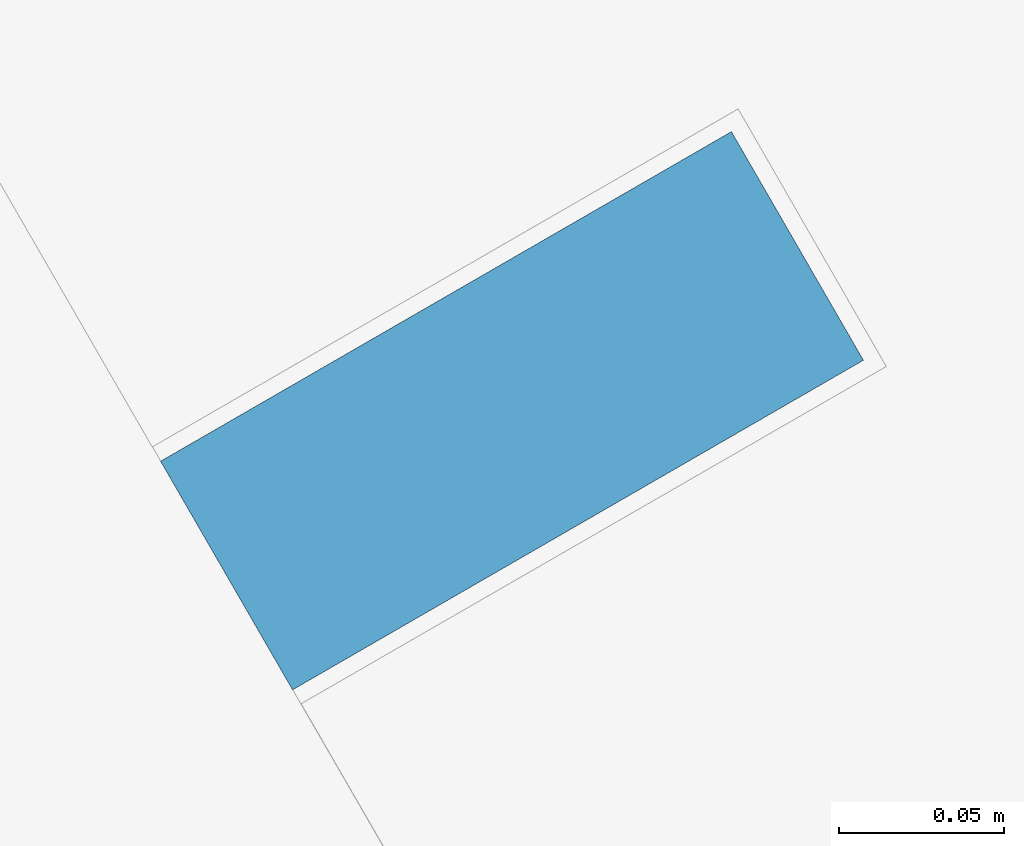
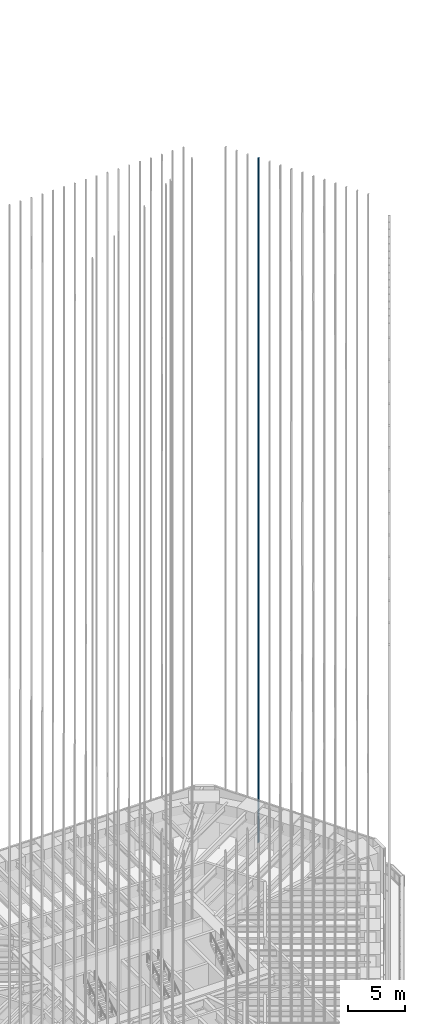
# One storey, part 196 of 228: 1 member, 1 element without a shape of its own.
"""IFC4 building model written with IfcOpenShell, lengths in metres."""

from ifc_helpers import new_model, si_unit, direction, frame, origin, origin_2d, place, context, subcontext, project, spatial, rectangle, extrude, material, material_profile, profile_set, type_object, element, aggregate, save


model = new_model("IFC4")

# Units and contexts
model_context = context("Model", 3, precision=1e-05, world=origin(), true_north=direction((0.0, 1.0)))
body_context = subcontext(model_context, "Body", "Model", "MODEL_VIEW")
ifc_project = project(units=[si_unit("LENGTHUNIT", "METRE"), si_unit("AREAUNIT", "SQUARE_METRE"), si_unit("VOLUMEUNIT", "CUBIC_METRE"), si_unit("PLANEANGLEUNIT", "RADIAN"), si_unit("MASSUNIT", "GRAM", prefix="KILO")], contexts=[model_context])

# Site, building, storey
site_placement = place(None, origin())
site = spatial("IfcSite", under=ifc_project, at=site_placement, CompositionType="ELEMENT")
building_placement = place(site_placement, origin())
building = spatial("IfcBuilding", under=site, at=building_placement, Name="Sandreach Pilgrim Tower", CompositionType="ELEMENT")
storey_placement = place(building_placement, frame((0.0, 0.0, 178.199951171875)))
storey = spatial("IfcBuildingStorey", under=building, at=storey_placement, Name="L44", CompositionType="ELEMENT", Elevation=178.199951171875)

# Curtain wall, member
ifc_material_1 = material(Name="Aluminium framed curtain wall", Category="aluminium")
curtain_wall_type = type_object("IfcCurtainWallType", Name="Upper hotel tower curtain wall", PredefinedType="NOTDEFINED", material=ifc_material_1)
curtain_wall_placement = place(storey_placement, origin())
curtain_wall = element("IfcCurtainWall", 1, at=curtain_wall_placement, inside=storey, type_object=curtain_wall_type, Name="CW-3 L44 NE", PredefinedType="NOTDEFINED")
ifc_material_2 = material(Name="Extruded terracotta on aluminium core", Category="masonry")
ifc_material_profile = material_profile(ifc_material_2, rectangle(XDim=0.080078125, YDim=0.199951171875, at=origin_2d()), Name="TBE 80X200")
ifc_profile_set = profile_set([ifc_material_profile], Name="Extruded terracotta on aluminium core")
member_type = type_object("IfcMemberType", Name="Terracotta baguette east", PredefinedType="USERDEFINED", material=ifc_profile_set)
member_placement = place(storey_placement, frame((21.37451171875, 16.828369140625, 0.0), z_axis=(0.0, 0.0, 1.0), x_axis=(0.5, -0.866025403784, 0.0)))
member = element("IfcMember", 2, at=member_placement, type_object=member_type, Name="Baguette Z3 NE04", ObjectType="BAGUETTE", PredefinedType="USERDEFINED", context=body_context, shape_type="SweptSolid", body=[
    extrude(rectangle(XDim=0.080078125, YDim=0.199951171875, at=origin_2d()), origin(), (0.0, 0.0, 1.0), 73.239990234375),
])
aggregate(curtain_wall, [member])

save(model, "model.ifc")
